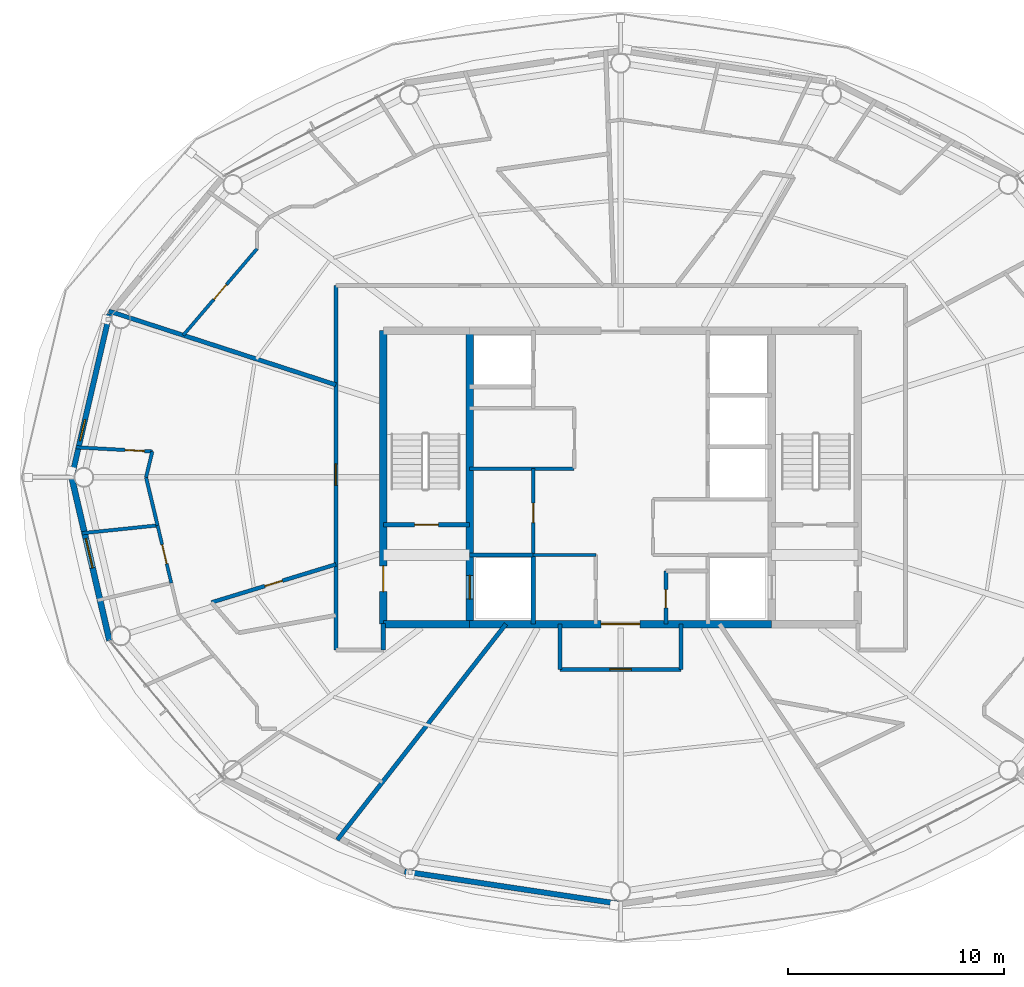
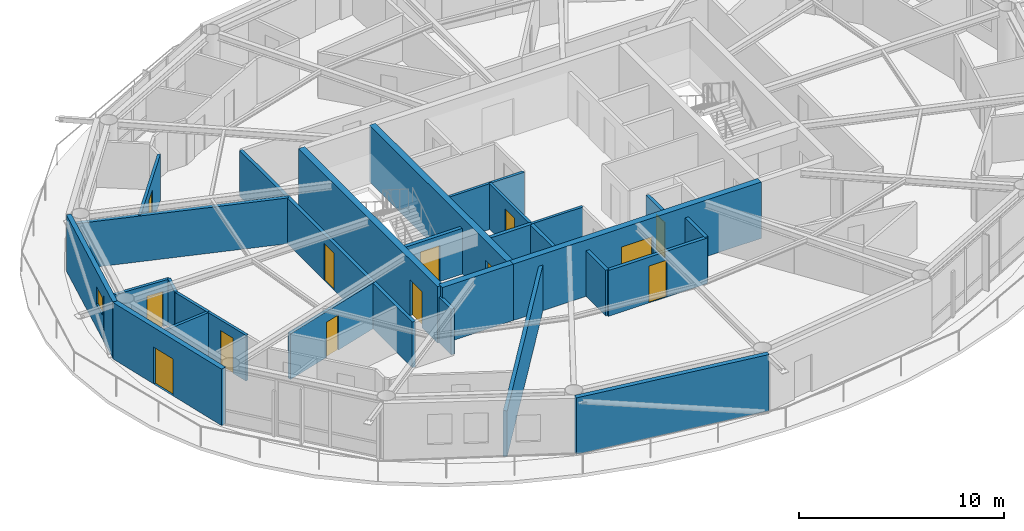
# One storey, part 16 of 22: 28 walls, 13 doors, 1 window, 14 openings.
"""IFC4 building model written with IfcOpenShell, lengths in metres."""

from ifc_helpers import new_model, si_unit, direction, frame, frame_2d, origin, place, context, subcontext, project, spatial, rectangle, extrude, material, layer, layer_set, type_object, element, fill, save


model = new_model("IFC4")

# Units and contexts
model_context = context("Model", 3, precision=1e-05, world=origin(), true_north=direction((0.0, 1.0)))
body_context = subcontext(model_context, "Body", "Model", "MODEL_VIEW")
ifc_project = project(units=[si_unit("LENGTHUNIT", "METRE"), si_unit("AREAUNIT", "SQUARE_METRE"), si_unit("VOLUMEUNIT", "CUBIC_METRE"), si_unit("PLANEANGLEUNIT", "RADIAN"), si_unit("MASSUNIT", "GRAM", prefix="KILO")], contexts=[model_context])

# Site, building, storey
site_placement = place(None, origin())
site = spatial("IfcSite", under=ifc_project, at=site_placement, CompositionType="ELEMENT")
building_placement = place(site_placement, origin())
building = spatial("IfcBuilding", under=site, at=building_placement, Name="Sarneth Arch Tower", CompositionType="ELEMENT")
storey_placement = place(building_placement, frame((0.0, 0.0, 291.0)))
storey = spatial("IfcBuildingStorey", under=building, at=storey_placement, Name="L75", CompositionType="ELEMENT", Elevation=291.0)

# Wall
ifc_material_1 = material(Name="Concrete C50/60", Category="concrete")
ifc_layer_1 = layer(ifc_material_1, 0.35009765625)
ifc_layer_set_1 = layer_set([ifc_layer_1], Name="Concrete C50/60")
wall_type_1 = type_object("IfcWallType", Name="WALL-CORE-350", PredefinedType="SHEAR", material=ifc_layer_set_1)
wall_1_placement = place(storey_placement, frame((37.0, 35.199951171875, 0.0), z_axis=(0.0, 0.0, 1.0), x_axis=(1.0, 0.0, 0.0)))
element("IfcWall", 1, at=wall_1_placement, inside=storey, type_object=wall_type_1, Name="L75 Core shear wall S-W", PredefinedType="SHEAR", context=body_context, shape_type="SweptSolid", body=[
    extrude(rectangle(XDim=4.0, YDim=0.35009765625, at=frame_2d((2.0, 0.0))), origin(), (0.0, 0.0, 1.0), 3.3701171875),
])

# Wall, opening, door
wall_2_placement = place(storey_placement, frame((41.0, 35.199951171875, 0.0), z_axis=(0.0, 0.0, 1.0), x_axis=(1.0, 0.0, 0.0)))
wall_2 = element("IfcWall", 2, at=wall_2_placement, inside=storey, type_object=wall_type_1, Name="L75 Core shear wall S-M", PredefinedType="SHEAR", context=body_context, shape_type="SweptSolid", body=[
    extrude(rectangle(XDim=14.0, YDim=0.35009765625, at=frame_2d((7.0, 0.0))), origin(), (0.0, 0.0, 1.0), 3.3701171875),
])
opening_1_placement = place(wall_2_placement, frame((6.10009765625, 0.0, 0.0)))
opening_1 = element("IfcOpeningElement", 3, at=opening_1_placement, cuts=wall_2, Name="Opening FD-01", PredefinedType="OPENING", context=body_context, shape_type="SweptSolid", body=[
    extrude(rectangle(XDim=1.800048828125, YDim=2.25, at=frame_2d((0.89990234375, 1.125))), frame((0.0, 0.18505859375, 0.0), z_axis=(0.0, -1.0, 0.0), x_axis=(1.0, 0.0, 0.0)), (0.0, 0.0, 1.0), 0.3701171875),
])
ifc_material_2 = material(Name="Galvanised Steel S275 fire door set", Category="steel")
door_type_1 = type_object("IfcDoorType", Name="DR-FD90-1800", OperationType="DOUBLE_DOOR_SINGLE_SWING", PredefinedType="DOOR", material=ifc_material_2)
door_1_placement = place(opening_1_placement, origin())
door_1 = element("IfcDoor", 4, at=door_1_placement, inside=storey, type_object=door_type_1, Name="L75 Central lift lobby south door", OperationType="DOUBLE_DOOR_SINGLE_SWING", OverallHeight=2.25, OverallWidth=1.800048828125, PredefinedType="DOOR", context=body_context, shape_type="SweptSolid", body=[
    extrude(rectangle(XDim=1.800048828125, YDim=2.25, at=frame_2d((0.89990234375, 1.125))), frame((0.0, 0.02490234375, 0.0), z_axis=(0.0, -1.0, 0.0), x_axis=(1.0, 0.0, 0.0)), (0.0, 0.0, 1.0), 0.050048828125),
])
fill(opening_1, door_1)

wall_3_placement = place(storey_placement, frame((37.0, 35.199951171875, 0.0), z_axis=(0.0, 0.0, 1.0), x_axis=(0.0, 1.0, 0.0)))
wall_3 = element("IfcWall", 5, at=wall_3_placement, inside=storey, type_object=wall_type_1, Name="L75 Core shear wall W", PredefinedType="SHEAR", context=body_context, shape_type="SweptSolid", body=[
    extrude(rectangle(XDim=13.60009765625, YDim=0.35009765625, at=frame_2d((6.800048828125, 0.0))), origin(), (0.0, 0.0, 1.0), 3.3701171875),
])
opening_2_placement = place(wall_3_placement, frame((1.5, 0.0, 0.0)))
opening_2 = element("IfcOpeningElement", 6, at=opening_2_placement, cuts=wall_3, Name="Opening FD-02", PredefinedType="OPENING", context=body_context, shape_type="SweptSolid", body=[
    extrude(rectangle(XDim=1.199951171875, YDim=2.14990234375, at=frame_2d((0.60009765625, 1.074951171875))), frame((0.0, 0.18505859375, 0.0), z_axis=(0.0, -1.0, 0.0), x_axis=(1.0, 0.0, 0.0)), (0.0, 0.0, 1.0), 0.3701171875),
])
ifc_material_3 = material(Name="Galvanised Steel S275 fire door set", Category="steel")
door_type_2 = type_object("IfcDoorType", Name="DR-FD90-1200", OperationType="SINGLE_SWING_LEFT", PredefinedType="DOOR", material=ifc_material_3)
door_2_placement = place(opening_2_placement, origin())
door_2 = element("IfcDoor", 7, at=door_2_placement, inside=storey, type_object=door_type_2, Name="L75 Firefighting lobby 1 exit door", OperationType="SINGLE_SWING_LEFT", OverallHeight=2.14990234375, OverallWidth=1.199951171875, PredefinedType="DOOR", context=body_context, shape_type="SweptSolid", body=[
    extrude(rectangle(XDim=1.199951171875, YDim=2.14990234375, at=frame_2d((0.60009765625, 1.074951171875))), frame((0.0, 0.02490234375, 0.0), z_axis=(0.0, -1.0, 0.0), x_axis=(1.0, 0.0, 0.0)), (0.0, 0.0, 1.0), 0.050048828125),
])
fill(opening_2, door_2)

wall_4_placement = place(storey_placement, frame((41.0, 35.199951171875, 0.0), z_axis=(0.0, 0.0, 1.0), x_axis=(0.0, 1.0, 0.0)))
wall_4 = element("IfcWall", 8, at=wall_4_placement, inside=storey, type_object=wall_type_1, Name="L75 Core shear wall WEB-W", PredefinedType="SHEAR", context=body_context, shape_type="SweptSolid", body=[
    extrude(rectangle(XDim=13.60009765625, YDim=0.35009765625, at=frame_2d((6.800048828125, 0.0))), origin(), (0.0, 0.0, 1.0), 3.3701171875),
])
opening_3_placement = place(wall_4_placement, frame((1.14990234375, 0.0, 0.0)))
opening_3 = element("IfcOpeningElement", 9, at=opening_3_placement, cuts=wall_4, Name="Opening LD-1", PredefinedType="OPENING", context=body_context, shape_type="SweptSolid", body=[
    extrude(rectangle(XDim=1.10009765625, YDim=2.199951171875, at=frame_2d((0.550048828125, 1.10009765625))), frame((0.0, 0.18505859375, 0.0), z_axis=(0.0, -1.0, 0.0), x_axis=(1.0, 0.0, 0.0)), (0.0, 0.0, 1.0), 0.3701171875),
])
ifc_material_4 = material(Name="Brushed Stainless Steel 304 lift landing door", Category="steel")
door_type_3 = type_object("IfcDoorType", Name="DR-LIFT-SLIDE-1100", OperationType="SLIDING_TO_LEFT", PredefinedType="DOOR", material=ifc_material_4)
door_3_placement = place(opening_3_placement, origin())
door_3 = element("IfcDoor", 10, at=door_3_placement, inside=storey, type_object=door_type_3, Name="L75 Firefighting lift landing door FL-1", OperationType="SLIDING_TO_LEFT", OverallHeight=2.199951171875, OverallWidth=1.10009765625, PredefinedType="DOOR", context=body_context, shape_type="SweptSolid", body=[
    extrude(rectangle(XDim=1.10009765625, YDim=2.199951171875, at=frame_2d((0.550048828125, 1.10009765625))), frame((0.0, 0.02490234375, 0.0), z_axis=(0.0, -1.0, 0.0), x_axis=(1.0, 0.0, 0.0)), (0.0, 0.0, 1.0), 0.050048828125),
])
fill(opening_3, door_3)

ifc_material_5 = material(Name="Double steel-stud corridor fire wall", Category="steel")
ifc_layer_2 = layer(ifc_material_5, 0.18994140625)
ifc_layer_set_2 = layer_set([ifc_layer_2], Name="Double steel-stud corridor fire wall")
wall_type_2 = type_object("IfcWallType", Name="WALL-CORR-190", PredefinedType="PARTITIONING", material=ifc_layer_set_2)
wall_5_placement = place(storey_placement, frame((34.800048828125, 34.0, 0.0), z_axis=(0.0, 0.0, 1.0), x_axis=(0.0, 1.0, 0.0)))
wall_5 = element("IfcWall", 11, at=wall_5_placement, inside=storey, type_object=wall_type_2, Name="L75 Interior partition W-L75-TP-011", PredefinedType="PARTITIONING", context=body_context, shape_type="SweptSolid", body=[
    extrude(rectangle(XDim=16.89990234375, YDim=0.18994140625, at=frame_2d((8.449951171875, 0.0))), origin(), (0.0, 0.0, 1.0), 2.72998046875),
])
opening_4_placement = place(wall_5_placement, frame((7.626708984375, 0.0, 0.0)))
opening_4 = element("IfcOpeningElement", 12, at=opening_4_placement, cuts=wall_5, Name="Opening FD-08", PredefinedType="OPENING", context=body_context, shape_type="SweptSolid", body=[
    extrude(rectangle(XDim=1.0, YDim=2.199951171875, at=frame_2d((0.5, 1.10009765625))), frame((0.0, 0.10498046875, 0.0), z_axis=(0.0, -1.0, 0.0), x_axis=(1.0, 0.0, 0.0)), (0.0, 0.0, 1.0), 0.2099609375),
])
ifc_material_6 = material(Name="Hardwood timber acoustic fire door", Category="wood")
door_type_4 = type_object("IfcDoorType", Name="DR-FD60-1000", OperationType="SINGLE_SWING_LEFT", PredefinedType="DOOR", material=ifc_material_6)
door_4_placement = place(opening_4_placement, origin())
door_4 = element("IfcDoor", 13, at=door_4_placement, inside=storey, type_object=door_type_4, Name="L75 Interior door DR-L75-U3-ENT", OperationType="SINGLE_SWING_RIGHT", OverallHeight=2.199951171875, OverallWidth=1.0, PredefinedType="DOOR", context=body_context, shape_type="SweptSolid", body=[
    extrude(rectangle(XDim=1.0, YDim=2.199951171875, at=frame_2d((0.5, 1.10009765625))), frame((0.0, 0.02490234375, 0.0), z_axis=(0.0, -1.0, 0.0), x_axis=(1.0, 0.0, 0.0)), (0.0, 0.0, 1.0), 0.050048828125),
])
fill(opening_4, door_4)

wall_6_placement = place(storey_placement, frame((50.800048828125, 33.10009765625, 0.0), z_axis=(0.0, 0.0, 1.0), x_axis=(-1.0, 0.0, 0.0)))
wall_6 = element("IfcWall", 14, at=wall_6_placement, inside=storey, type_object=wall_type_2, Name="L75 Interior partition W-L75-TP-017", PredefinedType="PARTITIONING", context=body_context, shape_type="SweptSolid", body=[
    extrude(rectangle(XDim=5.60009765625, YDim=0.18994140625, at=frame_2d((2.800048828125, 0.0))), origin(), (0.0, 0.0, 1.0), 2.72998046875),
])
opening_5_placement = place(wall_6_placement, frame((2.300048828125, 0.0, 0.0)))
opening_5 = element("IfcOpeningElement", 15, at=opening_5_placement, cuts=wall_6, Name="Opening FD-08", PredefinedType="OPENING", context=body_context, shape_type="SweptSolid", body=[
    extrude(rectangle(XDim=1.0, YDim=2.199951171875, at=frame_2d((0.5, 1.10009765625))), frame((0.0, 0.10498046875, 0.0), z_axis=(0.0, -1.0, 0.0), x_axis=(1.0, 0.0, 0.0)), (0.0, 0.0, 1.0), 0.2099609375),
])
door_5_placement = place(opening_5_placement, origin())
door_5 = element("IfcDoor", 16, at=door_5_placement, inside=storey, type_object=door_type_4, Name="L75 Interior door DR-L75-RAMN-04", OperationType="SINGLE_SWING_RIGHT", OverallHeight=2.199951171875, OverallWidth=1.0, PredefinedType="DOOR", context=body_context, shape_type="SweptSolid", body=[
    extrude(rectangle(XDim=1.0, YDim=2.199951171875, at=frame_2d((0.5, 1.10009765625))), frame((0.0, 0.02490234375, 0.0), z_axis=(0.0, -1.0, 0.0), x_axis=(1.0, 0.0, 0.0)), (0.0, 0.0, 1.0), 0.050048828125),
])
fill(opening_5, door_5)

# Walls
for number, where, z_axis, x_axis, name in (
    (17, (50.800048828125, 35.199951171875, 0.0), (0.0, 0.0, 1.0), (0.0, -1.0, 0.0), "L75 Interior partition W-L75-TP-016"),
    (18, (45.199951171875, 33.10009765625, 0.0), (0.0, 0.0, 1.0), (0.0, 1.0, 0.0), "L75 Interior partition W-L75-TP-018"),
):
    element("IfcWall", number, at=place(storey_placement, frame(where, z_axis=z_axis, x_axis=x_axis)), inside=storey, type_object=wall_type_2, Name=name, PredefinedType="PARTITIONING", context=body_context, shape_type="SweptSolid", body=[
        extrude(rectangle(XDim=2.099853515625, YDim=0.18994140625, at=frame_2d((1.0498046875, 0.0))), origin(), (0.0, 0.0, 1.0), 2.72998046875),
    ])
wall_7_placement = place(storey_placement, frame((37.0, 35.23193359375, 0.0), z_axis=(0.0, 0.0, 1.0), x_axis=(0.0, -1.0, 0.0)))
element("IfcWall", 19, at=wall_7_placement, inside=storey, type_object=wall_type_2, Name="L75 Interior partition W-L75-TP-008", PredefinedType="PARTITIONING", context=body_context, shape_type="SweptSolid", body=[
    extrude(rectangle(XDim=1.23193359375, YDim=0.18994140625, at=frame_2d((0.615966796875, 0.0))), origin(), (0.0, 0.0, 1.0), 2.72998046875),
])

# Wall, opening, window
ifc_material_7 = material(Name="Extruded terracotta rainscreen on Concrete C40/50 backing", Category="masonry")
ifc_layer_3 = layer(ifc_material_7, 0.25)
ifc_layer_set_3 = layer_set([ifc_layer_3], Name="Extruded terracotta rainscreen on Concrete C40/50 backing")
wall_type_3 = type_object("IfcWallType", Name="WALL-EXT-SPAND-250", PredefinedType="SOLIDWALL", material=ifc_layer_set_3)
wall_8_placement = place(storey_placement, frame((24.30615234375, 49.569580078125, 0.0), z_axis=(0.0, 0.0, 1.0), x_axis=(-0.225635078214, -0.974211892495, 0.0)))
wall_8 = element("IfcWall", 20, at=wall_8_placement, inside=storey, type_object=wall_type_3, Name="L75 Terracotta perimeter wall 08", PredefinedType="SOLIDWALL", context=body_context, shape_type="SweptSolid", body=[
    extrude(rectangle(XDim=7.77001953125, YDim=0.25, at=frame_2d((3.885009765625, 0.0))), origin(), (0.0, 0.0, 1.0), 3.3701171875),
])
opening_6_placement = place(wall_8_placement, frame((5.02978515625, 0.0, 1.419921875)))
opening_6 = element("IfcOpeningElement", 21, at=opening_6_placement, cuts=wall_8, Name="Opening W-14", PredefinedType="OPENING", context=body_context, shape_type="SweptSolid", body=[
    extrude(rectangle(XDim=1.0, YDim=1.050048828125, at=frame_2d((0.5, 0.52490234375))), frame((0.0, 0.135009765625, 0.0), z_axis=(0.0, -1.0, 0.0), x_axis=(1.0, 0.0, 0.0)), (0.0, 0.0, 1.0), 0.27001953125),
])
ifc_material_8 = material(Name="Thermally broken Aluminium 6063-T6 and low-e laminated IGU", Category="aluminium")
window_type = type_object("IfcWindowType", Name="WIN-TWR-1000x1050", PartitioningType="SINGLE_PANEL", PredefinedType="WINDOW", material=ifc_material_8)
window_placement = place(opening_6_placement, origin())
window = element("IfcWindow", 22, at=window_placement, inside=storey, type_object=window_type, Name="L75 Dwelling bedroom window 03", OverallHeight=1.050048828125, OverallWidth=1.0, PartitioningType="SINGLE_PANEL", PredefinedType="WINDOW", context=body_context, shape_type="SweptSolid", body=[
    extrude(rectangle(XDim=1.0, YDim=1.050048828125, at=frame_2d((0.5, 0.52490234375))), frame((0.0, 0.030029296875, 0.0), z_axis=(0.0, -1.0, 0.0), x_axis=(1.0, 0.0, 0.0)), (0.0, 0.0, 1.0), 0.06005859375),
])
fill(opening_6, window)

# Wall
wall_9_placement = place(storey_placement, frame((37.9873046875, 23.7255859375, 0.0), z_axis=(0.0, 0.0, 1.0), x_axis=(0.988882522213, -0.148698881169, 0.0)))
element("IfcWall", 23, at=wall_9_placement, inside=storey, type_object=wall_type_3, Name="L75 Terracotta perimeter wall 12", PredefinedType="SOLIDWALL", context=body_context, shape_type="SweptSolid", body=[
    extrude(rectangle(XDim=10.125244140625, YDim=0.25, at=frame_2d((5.0625, 0.0))), origin(), (0.0, 0.0, 1.0), 3.3701171875),
])

# Wall, opening, door
ifc_material_9 = material(Name="Extruded terracotta rainscreen on Concrete C40/50 backing", Category="masonry")
ifc_layer_4 = layer(ifc_material_9, 0.280029296875)
ifc_layer_set_4 = layer_set([ifc_layer_4], Name="Extruded terracotta rainscreen on Concrete C40/50 backing")
wall_type_4 = type_object("IfcWallType", Name="WALL-EXT-TERRA-280", PredefinedType="SOLIDWALL", material=ifc_layer_set_4)
wall_10_placement = place(storey_placement, frame((22.552978515625, 42.0, 0.0), z_axis=(0.0, 0.0, 1.0), x_axis=(0.225635078214, -0.974211892495, 0.0)))
wall_10 = element("IfcWall", 24, at=wall_10_placement, inside=storey, type_object=wall_type_4, Name="L75 Terracotta perimeter wall 09", PredefinedType="SOLIDWALL", context=body_context, shape_type="SweptSolid", body=[
    extrude(rectangle(XDim=7.77001953125, YDim=0.280029296875, at=frame_2d((3.885009765625, 0.0))), origin(), (0.0, 0.0, 1.0), 3.3701171875),
])
opening_7_placement = place(wall_10_placement, frame((2.911865234375, 0.0, 0.0)))
opening_7 = element("IfcOpeningElement", 25, at=opening_7_placement, cuts=wall_10, Name="Opening BD-2", PredefinedType="OPENING", context=body_context, shape_type="SweptSolid", body=[
    extrude(rectangle(XDim=1.39990234375, YDim=2.199951171875, at=frame_2d((0.699951171875, 1.10009765625))), frame((0.0, 0.14990234375, 0.0), z_axis=(0.0, -1.0, 0.0), x_axis=(1.0, 0.0, 0.0)), (0.0, 0.0, 1.0), 0.300048828125),
])
ifc_material_10 = material(Name="Thermally broken Aluminium 6063-T6 and laminated safety glass", Category="aluminium")
door_type_5 = type_object("IfcDoorType", Name="DR-BALC-GLZ-1400", OperationType="SINGLE_SWING_LEFT", PredefinedType="DOOR", material=ifc_material_10)
door_6_placement = place(opening_7_placement, origin())
door_6 = element("IfcDoor", 26, at=door_6_placement, inside=storey, type_object=door_type_5, Name="L75 Balcony glazed door 09", OperationType="SINGLE_SWING_LEFT", OverallHeight=2.199951171875, OverallWidth=1.39990234375, PredefinedType="DOOR", context=body_context, shape_type="SweptSolid", body=[
    extrude(rectangle(XDim=1.39990234375, YDim=2.199951171875, at=frame_2d((0.699951171875, 1.10009765625))), frame((0.0, 0.02490234375, 0.0), z_axis=(0.0, -1.0, 0.0), x_axis=(1.0, 0.0, 0.0)), (0.0, 0.0, 1.0), 0.050048828125),
])
fill(opening_7, door_6)

ifc_material_11 = material(Name="Acoustic gypsum stud partition", Category="gypsum")
ifc_layer_5 = layer(ifc_material_11, 0.14990234375)
ifc_layer_set_5 = layer_set([ifc_layer_5], Name="Acoustic gypsum stud partition")
wall_type_5 = type_object("IfcWallType", Name="WALL-PART-150", PredefinedType="PARTITIONING", material=ifc_layer_set_5)
wall_11_placement = place(storey_placement, frame((43.949951171875, 38.39990234375, 0.0), z_axis=(0.0, 0.0, 1.0), x_axis=(0.0, 1.0, 0.0)))
wall_11 = element("IfcWall", 27, at=wall_11_placement, inside=storey, type_object=wall_type_5, Name="L75 Interior partition W-L75-RECPL-E", PredefinedType="PARTITIONING", context=body_context, shape_type="SweptSolid", body=[
    extrude(rectangle(XDim=4.0, YDim=0.14990234375, at=frame_2d((2.0, 0.0))), origin(), (0.0, 0.0, 1.0), 2.72998046875),
])
opening_8_placement = place(wall_11_placement, frame((1.5, 0.0, 0.0)))
opening_8 = element("IfcOpeningElement", 28, at=opening_8_placement, cuts=wall_11, Name="Opening FD-10", PredefinedType="OPENING", context=body_context, shape_type="SweptSolid", body=[
    extrude(rectangle(XDim=0.89990234375, YDim=2.14990234375, at=frame_2d((0.449951171875, 1.074951171875))), frame((0.0, 0.0849609375, 0.0), z_axis=(0.0, -1.0, 0.0), x_axis=(1.0, 0.0, 0.0)), (0.0, 0.0, 1.0), 0.169921875),
])
ifc_material_12 = material(Name="Galvanised Steel S275 riser/service fire door", Category="steel")
door_type_6 = type_object("IfcDoorType", Name="DR-FD60-900", OperationType="SINGLE_SWING_LEFT", PredefinedType="DOOR", material=ifc_material_12)
door_7_placement = place(opening_8_placement, origin())
door_7 = element("IfcDoor", 29, at=door_7_placement, inside=storey, type_object=door_type_6, Name="L75 Interior door DR-L75-RECPL", OperationType="SINGLE_SWING_LEFT", OverallHeight=2.14990234375, OverallWidth=0.89990234375, PredefinedType="DOOR", context=body_context, shape_type="SweptSolid", body=[
    extrude(rectangle(XDim=0.89990234375, YDim=2.14990234375, at=frame_2d((0.449951171875, 1.074951171875))), frame((0.0, 0.02490234375, 0.0), z_axis=(0.0, -1.0, 0.0), x_axis=(1.0, 0.0, 0.0)), (0.0, 0.0, 1.0), 0.050048828125),
])
fill(opening_8, door_7)

# Walls
wall_12_placement = place(storey_placement, frame((41.0, 42.39990234375, 0.0), z_axis=(0.0, 0.0, 1.0), x_axis=(1.0, 0.0, 0.0)))
element("IfcWall", 30, at=wall_12_placement, inside=storey, type_object=wall_type_5, Name="L75 Interior partition W-L75-RECPM1-S", PredefinedType="PARTITIONING", context=body_context, shape_type="SweptSolid", body=[
    extrude(rectangle(XDim=4.85009765625, YDim=0.14990234375, at=frame_2d((2.425048828125, 0.0))), origin(), (0.0, 0.0, 1.0), 2.72998046875),
])
wall_13_placement = place(storey_placement, frame((43.949951171875, 38.39990234375, 0.0), z_axis=(0.0, 0.0, 1.0), x_axis=(1.0, 0.0, 0.0)))
element("IfcWall", 31, at=wall_13_placement, inside=storey, type_object=wall_type_5, Name="L75 Interior partition W-L75-CSUP1-N", PredefinedType="PARTITIONING", context=body_context, shape_type="SweptSolid", body=[
    extrude(rectangle(XDim=2.900146484375, YDim=0.14990234375, at=frame_2d((1.4501953125, 0.0))), origin(), (0.0, 0.0, 1.0), 2.72998046875),
])

# Wall, opening, door
wall_14_placement = place(storey_placement, frame((27.72607421875, 48.58740234375, 0.0), z_axis=(0.0, 0.0, 1.0), x_axis=(0.649196412447, 0.760620810961, 0.0)))
wall_14 = element("IfcWall", 32, at=wall_14_placement, inside=storey, type_object=wall_type_5, Name="L75 Interior partition W-L75-TP-047", PredefinedType="PARTITIONING", context=body_context, shape_type="SweptSolid", body=[
    extrude(rectangle(XDim=5.27392578125, YDim=0.14990234375, at=frame_2d((2.636962890625, 0.0))), origin(), (0.0, 0.0, 1.0), 2.72998046875),
])
opening_9_placement = place(wall_14_placement, frame((2.18701171875, 0.0, 0.0)))
opening_9 = element("IfcOpeningElement", 33, at=opening_9_placement, cuts=wall_14, Name="Opening ID-01", PredefinedType="OPENING", context=body_context, shape_type="SweptSolid", body=[
    extrude(rectangle(XDim=0.89990234375, YDim=2.10009765625, at=frame_2d((0.449951171875, 1.050048828125))), frame((0.0, 0.0849609375, 0.0), z_axis=(0.0, -1.0, 0.0), x_axis=(1.0, 0.0, 0.0)), (0.0, 0.0, 1.0), 0.169921875),
])
ifc_material_13 = material(Name="Engineered hardwood flush door", Category="wood")
door_type_7 = type_object("IfcDoorType", Name="DR-INT-900", OperationType="SINGLE_SWING_LEFT", PredefinedType="DOOR", material=ifc_material_13)
door_8_placement = place(opening_9_placement, origin())
door_8 = element("IfcDoor", 34, at=door_8_placement, inside=storey, type_object=door_type_7, Name="L75 Interior door DR-L75-U2-BED2", OperationType="SINGLE_SWING_LEFT", OverallHeight=2.10009765625, OverallWidth=0.89990234375, PredefinedType="DOOR", context=body_context, shape_type="SweptSolid", body=[
    extrude(rectangle(XDim=0.89990234375, YDim=2.10009765625, at=frame_2d((0.449951171875, 1.050048828125))), frame((0.0, 0.02490234375, 0.0), z_axis=(0.0, -1.0, 0.0), x_axis=(1.0, 0.0, 0.0)), (0.0, 0.0, 1.0), 0.050048828125),
])
fill(opening_9, door_8)

wall_15_placement = place(storey_placement, frame((26.53564453125, 39.772705078125, 0.0), z_axis=(0.0, 0.0, 1.0), x_axis=(0.232333689401, -0.97263613791, 0.0)))
wall_15 = element("IfcWall", 35, at=wall_15_placement, inside=storey, type_object=wall_type_5, Name="L75 Interior partition W-L75-TP-055", PredefinedType="PARTITIONING", context=body_context, shape_type="SweptSolid", body=[
    extrude(rectangle(XDim=2.745849609375, YDim=0.14990234375, at=frame_2d((1.373046875, 0.0))), origin(), (0.0, 0.0, 1.0), 2.72998046875),
])
opening_10_placement = place(wall_15_placement, frame((0.9228515625, 0.0, 0.0)))
opening_10 = element("IfcOpeningElement", 36, at=opening_10_placement, cuts=wall_15, Name="Opening ID-01", PredefinedType="OPENING", context=body_context, shape_type="SweptSolid", body=[
    extrude(rectangle(XDim=0.89990234375, YDim=2.10009765625, at=frame_2d((0.449951171875, 1.050048828125))), frame((0.0, 0.0849609375, 0.0), z_axis=(0.0, -1.0, 0.0), x_axis=(1.0, 0.0, 0.0)), (0.0, 0.0, 1.0), 0.169921875),
])
door_9_placement = place(opening_10_placement, origin())
door_9 = element("IfcDoor", 37, at=door_9_placement, inside=storey, type_object=door_type_7, Name="L75 Interior door DR-L75-U3-STD", OperationType="SINGLE_SWING_LEFT", OverallHeight=2.10009765625, OverallWidth=0.89990234375, PredefinedType="DOOR", context=body_context, shape_type="SweptSolid", body=[
    extrude(rectangle(XDim=0.89990234375, YDim=2.10009765625, at=frame_2d((0.449951171875, 1.050048828125))), frame((0.0, 0.02490234375, 0.0), z_axis=(0.0, -1.0, 0.0), x_axis=(1.0, 0.0, 0.0)), (0.0, 0.0, 1.0), 0.050048828125),
])
fill(opening_10, door_9)

ifc_material_14 = material(Name="Kitchen wet service chase wall", Category="gypsum")
ifc_layer_6 = layer(ifc_material_14, 0.159912109375)
ifc_layer_set_6 = layer_set([ifc_layer_6], Name="Kitchen wet service chase wall")
wall_type_6 = type_object("IfcWallType", Name="WALL-PLUMB-160", PredefinedType="PLUMBINGWALL", material=ifc_layer_set_6)
wall_16_placement = place(storey_placement, frame((22.75439453125, 43.39306640625, 0.0), z_axis=(0.0, 0.0, 1.0), x_axis=(0.998481285203, -0.055091951307, 0.0)))
wall_16 = element("IfcWall", 38, at=wall_16_placement, inside=storey, type_object=wall_type_6, Name="L75 Interior partition W-L75-TP-056", PredefinedType="PLUMBINGWALL", context=body_context, shape_type="SweptSolid", body=[
    extrude(rectangle(XDim=3.540771484375, YDim=0.159912109375, at=frame_2d((1.7705078125, 0.0))), origin(), (0.0, 0.0, 1.0), 2.72998046875),
])
opening_11_placement = place(wall_16_placement, frame((2.280517578125, 0.0, 0.0)))
opening_11 = element("IfcOpeningElement", 39, at=opening_11_placement, cuts=wall_16, Name="Opening ID-01", PredefinedType="OPENING", context=body_context, shape_type="SweptSolid", body=[
    extrude(rectangle(XDim=0.89990234375, YDim=2.10009765625, at=frame_2d((0.449951171875, 1.050048828125))), frame((0.0, 0.08984375, 0.0), z_axis=(0.0, -1.0, 0.0), x_axis=(1.0, 0.0, 0.0)), (0.0, 0.0, 1.0), 0.179931640625),
])
door_10_placement = place(opening_11_placement, origin())
door_10 = element("IfcDoor", 40, at=door_10_placement, inside=storey, type_object=door_type_7, Name="L75 Interior door DR-L75-U3-KIT", OperationType="SINGLE_SWING_RIGHT", OverallHeight=2.10009765625, OverallWidth=0.89990234375, PredefinedType="DOOR", context=body_context, shape_type="SweptSolid", body=[
    extrude(rectangle(XDim=0.89990234375, YDim=2.10009765625, at=frame_2d((0.449951171875, 1.050048828125))), frame((0.0, 0.02490234375, 0.0), z_axis=(0.0, -1.0, 0.0), x_axis=(1.0, 0.0, 0.0)), (0.0, 0.0, 1.0), 0.050048828125),
])
fill(opening_11, door_10)

# Walls
wall_17_placement = place(storey_placement, frame((26.53564453125, 39.772705078125, 0.0), z_axis=(0.0, 0.0, 1.0), x_axis=(-0.994663387729, -0.103173374039, 0.0)))
element("IfcWall", 41, at=wall_17_placement, inside=storey, type_object=wall_type_6, Name="L75 Interior partition W-L75-TP-070", PredefinedType="PLUMBINGWALL", context=body_context, shape_type="SweptSolid", body=[
    extrude(rectangle(XDim=3.5234375, YDim=0.159912109375, at=frame_2d((1.76171875, 0.0))), origin(), (0.0, 0.0, 1.0), 2.72998046875),
])
wall_18_placement = place(storey_placement, frame((26.003662109375, 42.0, 0.0), z_axis=(0.0, 0.0, 1.0), x_axis=(0.232312317028, -0.972641242883, 0.0)))
element("IfcWall", 42, at=wall_18_placement, inside=storey, type_object=wall_type_6, Name="L75 Interior partition W-L75-TP-058", PredefinedType="PLUMBINGWALL", context=body_context, shape_type="SweptSolid", body=[
    extrude(rectangle(XDim=2.2900390625, YDim=0.159912109375, at=frame_2d((1.14501953125, 0.0))), origin(), (0.0, 0.0, 1.0), 2.72998046875),
])
wall_19_placement = place(storey_placement, frame((26.289794921875, 43.197998046875, 0.0), z_axis=(0.0, 0.0, 1.0), x_axis=(-0.232308267809, -0.972642210017, 0.0)))
element("IfcWall", 43, at=wall_19_placement, inside=storey, type_object=wall_type_6, Name="L75 Interior partition W-L75-TP-057", PredefinedType="PLUMBINGWALL", context=body_context, shape_type="SweptSolid", body=[
    extrude(rectangle(XDim=1.231689453125, YDim=0.159912109375, at=frame_2d((0.61572265625, 0.0))), origin(), (0.0, 0.0, 1.0), 2.72998046875),
])

# Wall, opening, door
ifc_material_15 = material(Name="Moisture-resistant plumbing chase wall", Category="gypsum")
ifc_layer_7 = layer(ifc_material_15, 0.179931640625)
ifc_layer_set_7 = layer_set([ifc_layer_7], Name="Moisture-resistant plumbing chase wall")
wall_type_7 = type_object("IfcWallType", Name="WALL-PLUMB-180", PredefinedType="PLUMBINGWALL", material=ifc_layer_set_7)
wall_20_placement = place(storey_placement, frame((50.10009765625, 35.199951171875, 0.0), z_axis=(0.0, 0.0, 1.0), x_axis=(0.0, 1.0, 0.0)))
wall_20 = element("IfcWall", 44, at=wall_20_placement, inside=storey, type_object=wall_type_7, Name="L75 Interior partition W-L75-AWC-W", PredefinedType="PLUMBINGWALL", context=body_context, shape_type="SweptSolid", body=[
    extrude(rectangle(XDim=2.449951171875, YDim=0.179931640625, at=frame_2d((1.22509765625, 0.0))), origin(), (0.0, 0.0, 1.0), 2.72998046875),
])
opening_12_placement = place(wall_20_placement, frame((0.75, 0.0, 0.0)))
opening_12 = element("IfcOpeningElement", 45, at=opening_12_placement, cuts=wall_20, Name="Opening ID-02", PredefinedType="OPENING", context=body_context, shape_type="SweptSolid", body=[
    extrude(rectangle(XDim=0.85009765625, YDim=2.10009765625, at=frame_2d((0.425048828125, 1.050048828125))), frame((0.0, 0.099853515625, 0.0), z_axis=(0.0, -1.0, 0.0), x_axis=(1.0, 0.0, 0.0)), (0.0, 0.0, 1.0), 0.199951171875),
])
ifc_material_16 = material(Name="Moisture-resistant bathroom timber door", Category="wood")
door_type_8 = type_object("IfcDoorType", Name="DR-INT-850", OperationType="SINGLE_SWING_RIGHT", PredefinedType="DOOR", material=ifc_material_16)
door_11_placement = place(opening_12_placement, origin())
door_11 = element("IfcDoor", 46, at=door_11_placement, inside=storey, type_object=door_type_8, Name="L75 Interior door DR-L75-AWC", OperationType="SINGLE_SWING_RIGHT", OverallHeight=2.10009765625, OverallWidth=0.85009765625, PredefinedType="DOOR", context=body_context, shape_type="SweptSolid", body=[
    extrude(rectangle(XDim=0.85009765625, YDim=2.10009765625, at=frame_2d((0.425048828125, 1.050048828125))), frame((0.0, 0.02490234375, 0.0), z_axis=(0.0, -1.0, 0.0), x_axis=(1.0, 0.0, 0.0)), (0.0, 0.0, 1.0), 0.050048828125),
])
fill(opening_12, door_11)

wall_21_placement = place(storey_placement, frame((34.800048828125, 37.96435546875, 0.0), z_axis=(0.0, 0.0, 1.0), x_axis=(-0.956308169094, -0.292360540641, 0.0)))
wall_21 = element("IfcWall", 47, at=wall_21_placement, inside=storey, type_object=wall_type_7, Name="L75 Interior partition W-L75-TP-059", PredefinedType="PLUMBINGWALL", context=body_context, shape_type="SweptSolid", body=[
    extrude(rectangle(XDim=6.027587890625, YDim=0.179931640625, at=frame_2d((3.013671875, 0.0))), origin(), (0.0, 0.0, 1.0), 2.72998046875),
])
opening_13_placement = place(wall_21_placement, frame((2.588623046875, 0.0, 0.0)))
opening_13 = element("IfcOpeningElement", 48, at=opening_13_placement, cuts=wall_21, Name="Opening ID-02", PredefinedType="OPENING", context=body_context, shape_type="SweptSolid", body=[
    extrude(rectangle(XDim=0.85009765625, YDim=2.10009765625, at=frame_2d((0.425048828125, 1.050048828125))), frame((0.0, 0.099853515625, 0.0), z_axis=(0.0, -1.0, 0.0), x_axis=(1.0, 0.0, 0.0)), (0.0, 0.0, 1.0), 0.199951171875),
])
door_12_placement = place(opening_13_placement, origin())
door_12 = element("IfcDoor", 49, at=door_12_placement, inside=storey, type_object=door_type_8, Name="L75 Interior door DR-L75-U3-BATH", OperationType="SINGLE_SWING_LEFT", OverallHeight=2.10009765625, OverallWidth=0.85009765625, PredefinedType="DOOR", context=body_context, shape_type="SweptSolid", body=[
    extrude(rectangle(XDim=0.85009765625, YDim=2.10009765625, at=frame_2d((0.425048828125, 1.050048828125))), frame((0.0, 0.02490234375, 0.0), z_axis=(0.0, -1.0, 0.0), x_axis=(1.0, 0.0, 0.0)), (0.0, 0.0, 1.0), 0.050048828125),
])
fill(opening_13, door_12)

ifc_material_17 = material(Name="Aerated concrete blockwork C25/30", Category="masonry")
ifc_layer_8 = layer(ifc_material_17, 0.199951171875)
ifc_layer_set_8 = layer_set([ifc_layer_8], Name="Aerated concrete blockwork C25/30")
wall_type_8 = type_object("IfcWallType", Name="WALL-SHAFT-200", PredefinedType="SOLIDWALL", material=ifc_layer_set_8)
wall_22_placement = place(storey_placement, frame((37.0, 39.800048828125, 0.0), z_axis=(0.0, 0.0, 1.0), x_axis=(1.0, 0.0, 0.0)))
wall_22 = element("IfcWall", 50, at=wall_22_placement, inside=storey, type_object=wall_type_8, Name="L75 Interior partition W-L75-ST1-S", PredefinedType="SOLIDWALL", context=body_context, shape_type="SweptSolid", body=[
    extrude(rectangle(XDim=4.0, YDim=0.199951171875, at=frame_2d((2.0, 0.0))), origin(), (0.0, 0.0, 1.0), 2.72998046875),
])
opening_14_placement = place(wall_22_placement, frame((1.449951171875, 0.0, 0.0)))
opening_14 = element("IfcOpeningElement", 51, at=opening_14_placement, cuts=wall_22, Name="Opening FD-03", PredefinedType="OPENING", context=body_context, shape_type="SweptSolid", body=[
    extrude(rectangle(XDim=1.10009765625, YDim=2.14990234375, at=frame_2d((0.550048828125, 1.074951171875))), frame((0.0, 0.10986328125, 0.0), z_axis=(0.0, -1.0, 0.0), x_axis=(1.0, 0.0, 0.0)), (0.0, 0.0, 1.0), 0.219970703125),
])
ifc_material_18 = material(Name="Galvanised Steel S275 fire door set", Category="steel")
door_type_9 = type_object("IfcDoorType", Name="DR-FD90-1100", OperationType="SINGLE_SWING_LEFT", PredefinedType="DOOR", material=ifc_material_18)
door_13_placement = place(opening_14_placement, origin())
door_13 = element("IfcDoor", 52, at=door_13_placement, inside=storey, type_object=door_type_9, Name="L75 Interior door DR-L75-ST1", OperationType="SINGLE_SWING_LEFT", OverallHeight=2.14990234375, OverallWidth=1.10009765625, PredefinedType="DOOR", context=body_context, shape_type="SweptSolid", body=[
    extrude(rectangle(XDim=1.10009765625, YDim=2.14990234375, at=frame_2d((0.550048828125, 1.074951171875))), frame((0.0, 0.02490234375, 0.0), z_axis=(0.0, -1.0, 0.0), x_axis=(1.0, 0.0, 0.0)), (0.0, 0.0, 1.0), 0.050048828125),
])
fill(opening_14, door_13)

# Walls
wall_23_placement = place(storey_placement, frame((43.949951171875, 35.199951171875, 0.0), z_axis=(0.0, 0.0, 1.0), x_axis=(0.0, 1.0, 0.0)))
element("IfcWall", 53, at=wall_23_placement, inside=storey, type_object=wall_type_8, Name="L75 Interior partition W-L75-FL1-E", PredefinedType="SOLIDWALL", context=body_context, shape_type="SweptSolid", body=[
    extrude(rectangle(XDim=3.199951171875, YDim=0.199951171875, at=frame_2d((1.60009765625, 0.0))), origin(), (0.0, 0.0, 1.0), 2.72998046875),
])
wall_24_placement = place(storey_placement, frame((41.0, 38.39990234375, 0.0), z_axis=(0.0, 0.0, 1.0), x_axis=(1.0, 0.0, 0.0)))
element("IfcWall", 54, at=wall_24_placement, inside=storey, type_object=wall_type_8, Name="L75 Interior partition W-L75-FL1-N", PredefinedType="SOLIDWALL", context=body_context, shape_type="SweptSolid", body=[
    extrude(rectangle(XDim=2.949951171875, YDim=0.199951171875, at=frame_2d((1.47509765625, 0.0))), origin(), (0.0, 0.0, 1.0), 2.72998046875),
])
ifc_material_19 = material(Name="Double steel-stud acoustic drywall", Category="steel")
ifc_layer_9 = layer(ifc_material_19, 0.199951171875)
ifc_layer_set_9 = layer_set([ifc_layer_9], Name="Double steel-stud acoustic drywall")
wall_type_9 = type_object("IfcWallType", Name="WALL-UNIT-200", PredefinedType="PARTITIONING", material=ifc_layer_set_9)
wall_25_placement = place(storey_placement, frame((42.687255859375, 35.199951171875, 0.0), z_axis=(0.0, 0.0, 1.0), x_axis=(-0.615663811723, -0.788008928208, 0.0)))
element("IfcWall", 55, at=wall_25_placement, inside=storey, type_object=wall_type_9, Name="L75 Interior partition W-L75-TP-069", PredefinedType="PARTITIONING", context=body_context, shape_type="SweptSolid", body=[
    extrude(rectangle(XDim=12.701171875, YDim=0.199951171875, at=frame_2d((6.3505859375, 0.0))), origin(), (0.0, 0.0, 1.0), 2.72998046875),
])
wall_26_placement = place(storey_placement, frame((24.2763671875, 49.708251953125, 0.0), z_axis=(0.0, 0.0, 1.0), x_axis=(0.951054334328, -0.309023709699, 0.0)))
element("IfcWall", 56, at=wall_26_placement, inside=storey, type_object=wall_type_9, Name="L75 Interior partition W-L75-TP-050", PredefinedType="PARTITIONING", context=body_context, shape_type="SweptSolid", body=[
    extrude(rectangle(XDim=11.065185546875, YDim=0.199951171875, at=frame_2d((5.53271484375, 0.0))), origin(), (0.0, 0.0, 1.0), 2.72998046875),
])

save(model, "model.ifc")
